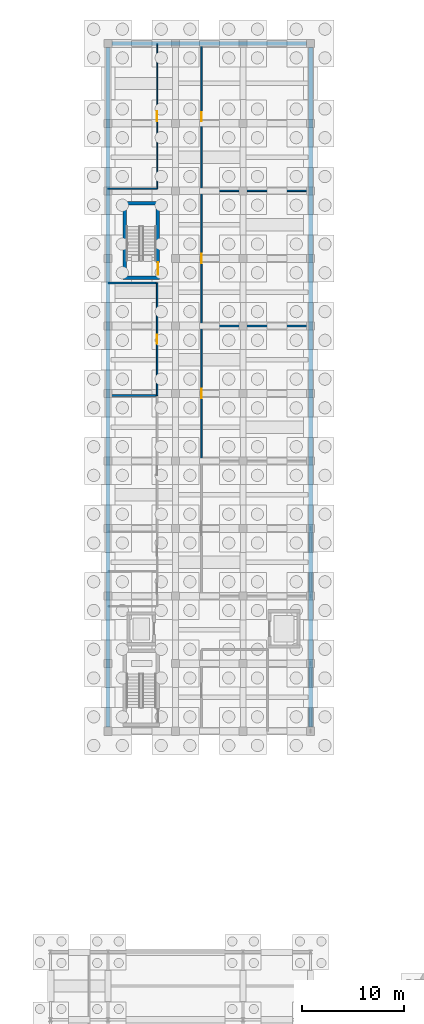
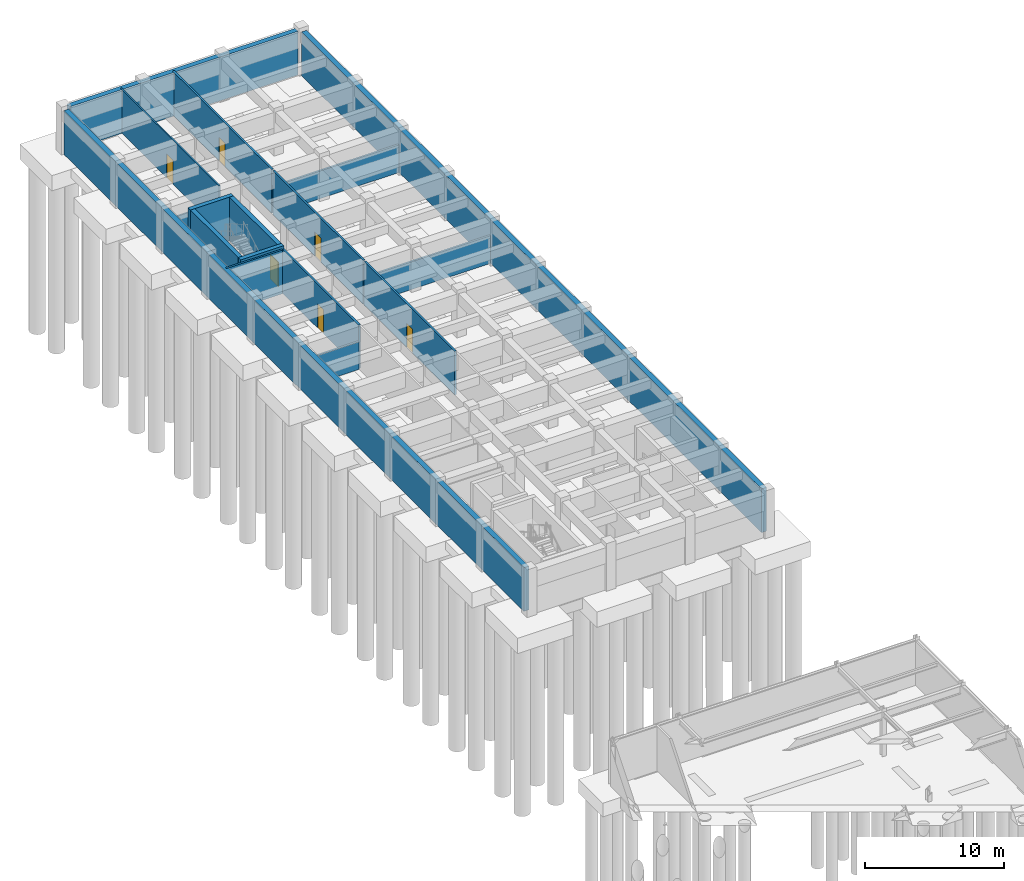
# One storey, part 49 of 58: 17 walls, 6 doors, 6 openings.
"""IFC4 building model written with IfcOpenShell, lengths in metres."""

from ifc_helpers import new_model, si_unit, direction, frame, frame_2d, origin, place, context, subcontext, project, spatial, rectangle, extrude, material, layer, layer_set, type_object, element, fill, save


model = new_model("IFC4")

# Units and contexts
model_context = context("Model", 3, precision=1e-05, world=origin(), true_north=direction((0.0, 1.0)))
body_context = subcontext(model_context, "Body", "Model", "MODEL_VIEW")
ifc_project = project(units=[si_unit("LENGTHUNIT", "METRE"), si_unit("AREAUNIT", "SQUARE_METRE"), si_unit("VOLUMEUNIT", "CUBIC_METRE"), si_unit("PLANEANGLEUNIT", "RADIAN"), si_unit("MASSUNIT", "GRAM", prefix="KILO")], contexts=[model_context])

# Site, building, storey
site_placement = place(None, origin())
site = spatial("IfcSite", under=ifc_project, at=site_placement, CompositionType="ELEMENT")
building_placement = place(site_placement, origin())
building = spatial("IfcBuilding", under=site, at=building_placement, Name="Karori Crest Natural Sciences Institute", CompositionType="ELEMENT")
storey_placement = place(building_placement, frame((0.0, 0.0, -4.199951171875)))
storey = spatial("IfcBuildingStorey", under=building, at=storey_placement, Name="B1", CompositionType="ELEMENT", Elevation=-4.199951171875)

# Walls
ifc_material_1 = material(Name="Concrete 50 MPa", Category="concrete")
ifc_layer_1 = layer(ifc_material_1, 0.35009765625, Name="Concrete 50 MPa")
ifc_layer_set_1 = layer_set([ifc_layer_1], Name="Concrete 50 MPa")
wall_type_1 = type_object("IfcWallType", Name="IWT-02", PredefinedType="SHEAR", material=ifc_layer_set_1)
for number, where, z_axis, x_axis, name in (
    (1, (8.85009765625, 139.324951171875, 0.0), (0.0, 0.0, 1.0), (1.0, 0.0, 0.0), "Shear wall IW-0197"),
    (2, (8.85009765625, 146.574951171875, 0.0), (0.0, 0.0, 1.0), (1.0, 0.0, 0.0), "Shear wall IW-0198"),
):
    element("IfcWall", number, at=place(storey_placement, frame(where, z_axis=z_axis, x_axis=x_axis)), inside=storey, type_object=wall_type_1, Name=name, PredefinedType="SHEAR", context=body_context, shape_type="SweptSolid", body=[
        extrude(rectangle(XDim=3.599853515625, YDim=0.35009765625, at=frame_2d((1.7998046875, 0.0))), origin(), (0.0, 0.0, 1.0), 3.849853515625),
    ])
wall_1_placement = place(storey_placement, frame((9.02490234375, 139.501953125, 0.0), z_axis=(0.0, 0.0, 1.0), x_axis=(0.0, 1.0, 0.0)))
element("IfcWall", 3, at=wall_1_placement, inside=storey, type_object=wall_type_1, Name="Shear wall IW-0199", PredefinedType="SHEAR", context=body_context, shape_type="SweptSolid", body=[
    extrude(rectangle(XDim=6.89599609375, YDim=0.35009765625, at=frame_2d((3.447998046875, 0.0))), origin(), (0.0, 0.0, 1.0), 3.849853515625),
])

# Wall, opening, door
wall_2_placement = place(storey_placement, frame((12.27490234375, 139.501953125, 0.0), z_axis=(0.0, 0.0, 1.0), x_axis=(0.0, 1.0, 0.0)))
wall_2 = element("IfcWall", 4, at=wall_2_placement, inside=storey, type_object=wall_type_1, Name="Shear wall IW-0200", PredefinedType="SHEAR", context=body_context, shape_type="SweptSolid", body=[
    extrude(rectangle(XDim=6.89599609375, YDim=0.35009765625, at=frame_2d((3.447998046875, 0.0))), origin(), (0.0, 0.0, 1.0), 3.849853515625),
])
opening_1_placement = place(wall_2_placement, frame((0.1201171875, 0.0, 0.0)))
opening_1 = element("IfcOpeningElement", 5, at=opening_1_placement, cuts=wall_2, Name="Opening ID-0050", PredefinedType="OPENING", context=body_context, shape_type="SweptSolid", body=[
    extrude(rectangle(XDim=1.199951171875, YDim=2.14990234375, at=frame_2d((0.60009765625, 1.074951171875))), frame((0.0, 0.18505859375, 0.0), z_axis=(0.0, -1.0, 0.0), x_axis=(1.0, 0.0, 0.0)), (0.0, 0.0, 1.0), 0.3701171875),
])
ifc_material_2 = material(Name="Stainless steel 316 and fire-rated timber", Category="steel")
door_type_1 = type_object("IfcDoorType", Name="IDT-01", OperationType="NOTDEFINED", PredefinedType="DOOR", material=ifc_material_2)
door_1_placement = place(opening_1_placement, origin())
door_1 = element("IfcDoor", 6, at=door_1_placement, inside=storey, type_object=door_type_1, Name="Stair ST-06 fire door ID-0050", OperationType="SINGLE_SWING_RIGHT", OverallHeight=2.14990234375, OverallWidth=1.199951171875, PredefinedType="DOOR", context=body_context, shape_type="SweptSolid", body=[
    extrude(rectangle(XDim=1.199951171875, YDim=2.14990234375, at=frame_2d((0.60009765625, 1.074951171875))), frame((0.0, 0.02490234375, 0.0), z_axis=(0.0, -1.0, 0.0), x_axis=(1.0, 0.0, 0.0)), (0.0, 0.0, 1.0), 0.050048828125),
])
fill(opening_1, door_1)

# Walls
ifc_material_3 = material(Name="Acoustic steel-stud fireboard partition", Category="steel")
ifc_layer_2 = layer(ifc_material_3, 0.159912109375, Name="Acoustic steel-stud fireboard partition")
ifc_layer_set_2 = layer_set([ifc_layer_2], Name="Acoustic steel-stud fireboard partition")
wall_type_2 = type_object("IfcWallType", Name="IWT-05", PredefinedType="PARTITIONING", material=ifc_layer_set_2)
wall_3_placement = place(storey_placement, frame((7.39990234375, 127.800048828125, 0.0), z_axis=(0.0, 0.0, 1.0), x_axis=(1.0, 0.0, 0.0)))
element("IfcWall", 7, at=wall_3_placement, inside=storey, type_object=wall_type_2, Name="Partition wall IW-0897", PredefinedType="PARTITIONING", context=body_context, shape_type="SweptSolid", body=[
    extrude(rectangle(XDim=4.697998046875, YDim=0.159912109375, at=frame_2d((2.34912109375, 0.0))), origin(), (0.0, 0.0, 1.0), 2.43505859375),
])
wall_4_placement = place(storey_placement, frame((7.39990234375, 138.800048828125, 0.0), z_axis=(0.0, 0.0, 1.0), x_axis=(1.0, 0.0, 0.0)))
element("IfcWall", 8, at=wall_4_placement, inside=storey, type_object=wall_type_2, Name="Partition wall IW-0899", PredefinedType="PARTITIONING", context=body_context, shape_type="SweptSolid", body=[
    extrude(rectangle(XDim=4.697998046875, YDim=0.159912109375, at=frame_2d((2.34912109375, 0.0))), origin(), (0.0, 0.0, 1.0), 3.849853515625),
])

# Wall, opening, door
wall_5_placement = place(storey_placement, frame((12.199951171875, 127.802001953125, 0.0), z_axis=(0.0, 0.0, 1.0), x_axis=(0.0, 1.0, 0.0)))
wall_5 = element("IfcWall", 9, at=wall_5_placement, inside=storey, type_object=wall_type_2, Name="Partition wall IW-0900", PredefinedType="PARTITIONING", context=body_context, shape_type="SweptSolid", body=[
    extrude(rectangle(XDim=10.998046875, YDim=0.159912109375, at=frame_2d((5.4990234375, 0.0))), origin(), (0.0, 0.0, 1.0), 3.849853515625),
])
opening_2_placement = place(wall_5_placement, frame((5.0390625, 0.0, 0.0)))
opening_2 = element("IfcOpeningElement", 10, at=opening_2_placement, cuts=wall_5, Name="Opening ID-0225", PredefinedType="OPENING", context=body_context, shape_type="SweptSolid", body=[
    extrude(rectangle(XDim=0.919921875, YDim=2.1201171875, at=frame_2d((0.4599609375, 1.06005859375))), frame((0.0, 0.08984375, 0.0), z_axis=(0.0, -1.0, 0.0), x_axis=(1.0, 0.0, 0.0)), (0.0, 0.0, 1.0), 0.179931640625),
])
door_type_2 = type_object("IfcDoorType", Name="IDT-14", OperationType="NOTDEFINED", PredefinedType="DOOR", material=ifc_material_2)
door_2_placement = place(opening_2_placement, origin())
door_2 = element("IfcDoor", 11, at=door_2_placement, inside=storey, type_object=door_type_2, Name="Gas Scrubbing Plant Room door ID-0225", OperationType="SINGLE_SWING_LEFT", OverallHeight=2.1201171875, OverallWidth=0.919921875, PredefinedType="DOOR", context=body_context, shape_type="SweptSolid", body=[
    extrude(rectangle(XDim=0.919921875, YDim=2.1201171875, at=frame_2d((0.4599609375, 1.06005859375))), frame((0.0, 0.02490234375, 0.0), z_axis=(0.0, -1.0, 0.0), x_axis=(1.0, 0.0, 0.0)), (0.0, 0.0, 1.0), 0.050048828125),
])
fill(opening_2, door_2)

# Wall
wall_6_placement = place(storey_placement, frame((16.550048828125, 134.60009765625, 0.0), z_axis=(0.0, 0.0, 1.0), x_axis=(1.0, 0.0, 0.0)))
element("IfcWall", 12, at=wall_6_placement, inside=storey, type_object=wall_type_2, Name="Partition wall IW-0909", PredefinedType="PARTITIONING", context=body_context, shape_type="SweptSolid", body=[
    extrude(rectangle(XDim=10.4580078125, YDim=0.159912109375, at=frame_2d((5.22900390625, 0.0))), origin(), (0.0, 0.0, 1.0), 2.43505859375),
])

# Wall, opening, door
wall_7_placement = place(storey_placement, frame((16.550048828125, 121.47705078125, 0.0), z_axis=(0.0, 0.0, 1.0), x_axis=(0.0, 1.0, 0.0)))
wall_7 = element("IfcWall", 13, at=wall_7_placement, inside=storey, type_object=wall_type_2, Name="Partition wall IW-0910", PredefinedType="PARTITIONING", context=body_context, shape_type="SweptSolid", body=[
    extrude(rectangle(XDim=13.041015625, YDim=0.159912109375, at=frame_2d((6.5205078125, 0.0))), origin(), (0.0, 0.0, 1.0), 3.849853515625),
])
opening_3_placement = place(wall_7_placement, frame((6.070556640625, 0.0, 0.0)))
opening_3 = element("IfcOpeningElement", 14, at=opening_3_placement, cuts=wall_7, Name="Opening ID-0229", PredefinedType="OPENING", context=body_context, shape_type="SweptSolid", body=[
    extrude(rectangle(XDim=0.89990234375, YDim=2.10009765625, at=frame_2d((0.449951171875, 1.050048828125))), frame((0.0, 0.08984375, 0.0), z_axis=(0.0, -1.0, 0.0), x_axis=(1.0, 0.0, 0.0)), (0.0, 0.0, 1.0), 0.179931640625),
])
door_type_3 = type_object("IfcDoorType", Name="IDT-07", OperationType="NOTDEFINED", PredefinedType="DOOR", material=ifc_material_2)
door_3_placement = place(opening_3_placement, origin())
door_3 = element("IfcDoor", 15, at=door_3_placement, inside=storey, type_object=door_type_3, Name="Ultra-Pure Acid Neutralisation Plant Room door ID-0229", OperationType="SINGLE_SWING_LEFT", OverallHeight=2.10009765625, OverallWidth=0.89990234375, PredefinedType="DOOR", context=body_context, shape_type="SweptSolid", body=[
    extrude(rectangle(XDim=0.89990234375, YDim=2.10009765625, at=frame_2d((0.449951171875, 1.050048828125))), frame((0.0, 0.02490234375, 0.0), z_axis=(0.0, -1.0, 0.0), x_axis=(1.0, 0.0, 0.0)), (0.0, 0.0, 1.0), 0.050048828125),
])
fill(opening_3, door_3)

# Wall
wall_8_placement = place(storey_placement, frame((16.550048828125, 147.800048828125, 0.0), z_axis=(0.0, 0.0, 1.0), x_axis=(1.0, 0.0, 0.0)))
element("IfcWall", 16, at=wall_8_placement, inside=storey, type_object=wall_type_2, Name="Partition wall IW-0911", PredefinedType="PARTITIONING", context=body_context, shape_type="SweptSolid", body=[
    extrude(rectangle(XDim=10.4580078125, YDim=0.159912109375, at=frame_2d((5.22900390625, 0.0))), origin(), (0.0, 0.0, 1.0), 2.43505859375),
])

# Wall, opening, door
wall_9_placement = place(storey_placement, frame((16.550048828125, 134.681884765625, 0.0), z_axis=(0.0, 0.0, 1.0), x_axis=(0.0, 1.0, 0.0)))
wall_9 = element("IfcWall", 17, at=wall_9_placement, inside=storey, type_object=wall_type_2, Name="Partition wall IW-0912", PredefinedType="PARTITIONING", context=body_context, shape_type="SweptSolid", body=[
    extrude(rectangle(XDim=13.0361328125, YDim=0.159912109375, at=frame_2d((6.51806640625, 0.0))), origin(), (0.0, 0.0, 1.0), 3.849853515625),
])
opening_4_placement = place(wall_9_placement, frame((6.05810546875, 0.0, 0.0)))
opening_4 = element("IfcOpeningElement", 18, at=opening_4_placement, cuts=wall_9, Name="Opening ID-0230", PredefinedType="OPENING", context=body_context, shape_type="SweptSolid", body=[
    extrude(rectangle(XDim=0.919921875, YDim=2.1201171875, at=frame_2d((0.4599609375, 1.06005859375))), frame((0.0, 0.08984375, 0.0), z_axis=(0.0, -1.0, 0.0), x_axis=(1.0, 0.0, 0.0)), (0.0, 0.0, 1.0), 0.179931640625),
])
door_4_placement = place(opening_4_placement, origin())
door_4 = element("IfcDoor", 19, at=door_4_placement, inside=storey, type_object=door_type_2, Name="Vacuum Pump Sub-Fab Room door ID-0230", OperationType="SINGLE_SWING_RIGHT", OverallHeight=2.1201171875, OverallWidth=0.919921875, PredefinedType="DOOR", context=body_context, shape_type="SweptSolid", body=[
    extrude(rectangle(XDim=0.919921875, YDim=2.1201171875, at=frame_2d((0.4599609375, 1.06005859375))), frame((0.0, 0.02490234375, 0.0), z_axis=(0.0, -1.0, 0.0), x_axis=(1.0, 0.0, 0.0)), (0.0, 0.0, 1.0), 0.050048828125),
])
fill(opening_4, door_4)

wall_10_placement = place(storey_placement, frame((16.550048828125, 147.882080078125, 0.0), z_axis=(0.0, 0.0, 1.0), x_axis=(0.0, 1.0, 0.0)))
wall_10 = element("IfcWall", 20, at=wall_10_placement, inside=storey, type_object=wall_type_2, Name="Partition wall IW-0913", PredefinedType="PARTITIONING", context=body_context, shape_type="SweptSolid", body=[
    extrude(rectangle(XDim=14.31787109375, YDim=0.159912109375, at=frame_2d((7.158935546875, 0.0))), origin(), (0.0, 0.0, 1.0), 3.849853515625),
])
opening_5_placement = place(wall_10_placement, frame((6.708984375, 0.0, 0.0)))
opening_5 = element("IfcOpeningElement", 21, at=opening_5_placement, cuts=wall_10, Name="Opening ID-0231", PredefinedType="OPENING", context=body_context, shape_type="SweptSolid", body=[
    extrude(rectangle(XDim=0.89990234375, YDim=2.10009765625, at=frame_2d((0.449951171875, 1.050048828125))), frame((0.0, 0.08984375, 0.0), z_axis=(0.0, -1.0, 0.0), x_axis=(1.0, 0.0, 0.0)), (0.0, 0.0, 1.0), 0.179931640625),
])
door_5_placement = place(opening_5_placement, origin())
door_5 = element("IfcDoor", 22, at=door_5_placement, inside=storey, type_object=door_type_3, Name="Specialty Gas Manifold Store door ID-0231", OperationType="SINGLE_SWING_LEFT", OverallHeight=2.10009765625, OverallWidth=0.89990234375, PredefinedType="DOOR", context=body_context, shape_type="SweptSolid", body=[
    extrude(rectangle(XDim=0.89990234375, YDim=2.10009765625, at=frame_2d((0.449951171875, 1.050048828125))), frame((0.0, 0.02490234375, 0.0), z_axis=(0.0, -1.0, 0.0), x_axis=(1.0, 0.0, 0.0)), (0.0, 0.0, 1.0), 0.050048828125),
])
fill(opening_5, door_5)

# Wall
ifc_material_4 = material(Name="Write-up office acoustic partition")
ifc_layer_3 = layer(ifc_material_4, 0.1201171875, Name="Write-up office acoustic partition")
ifc_layer_set_3 = layer_set([ifc_layer_3], Name="Write-up office acoustic partition")
wall_type_3 = type_object("IfcWallType", Name="IWT-08", PredefinedType="PARTITIONING", material=ifc_layer_set_3)
wall_11_placement = place(storey_placement, frame((7.39990234375, 148.0, 0.0), z_axis=(0.0, 0.0, 1.0), x_axis=(1.0, 0.0, 0.0)))
element("IfcWall", 23, at=wall_11_placement, inside=storey, type_object=wall_type_3, Name="Partition wall IW-0901", PredefinedType="PARTITIONING", context=body_context, shape_type="SweptSolid", body=[
    extrude(rectangle(XDim=4.800048828125, YDim=0.1201171875, at=frame_2d((2.39990234375, 0.0))), origin(), (0.0, 0.0, 1.0), 2.43505859375),
])

# Wall, opening, door
wall_12_placement = place(storey_placement, frame((12.199951171875, 148.0, 0.0), z_axis=(0.0, 0.0, 1.0), x_axis=(0.0, 1.0, 0.0)))
wall_12 = element("IfcWall", 24, at=wall_12_placement, inside=storey, type_object=wall_type_3, Name="Partition wall IW-0902", PredefinedType="PARTITIONING", context=body_context, shape_type="SweptSolid", body=[
    extrude(rectangle(XDim=14.199951171875, YDim=0.1201171875, at=frame_2d((7.10009765625, 0.0))), origin(), (0.0, 0.0, 1.0), 3.849853515625),
])
opening_6_placement = place(wall_12_placement, frame((6.625, 0.0, 0.0)))
opening_6 = element("IfcOpeningElement", 25, at=opening_6_placement, cuts=wall_12, Name="Opening ID-0226", PredefinedType="OPENING", context=body_context, shape_type="SweptSolid", body=[
    extrude(rectangle(XDim=0.949951171875, YDim=2.10009765625, at=frame_2d((0.47509765625, 1.050048828125))), frame((0.0, 0.070068359375, 0.0), z_axis=(0.0, -1.0, 0.0), x_axis=(1.0, 0.0, 0.0)), (0.0, 0.0, 1.0), 0.14013671875),
])
ifc_material_5 = material(Name="Anodised aluminium and acoustic timber", Category="wood")
door_type_4 = type_object("IfcDoorType", Name="IDT-08", OperationType="NOTDEFINED", PredefinedType="DOOR", material=ifc_material_5)
door_6_placement = place(opening_6_placement, origin())
door_6 = element("IfcDoor", 26, at=door_6_placement, inside=storey, type_object=door_type_4, Name="Specimen Assay Room door ID-0226", OperationType="SINGLE_SWING_RIGHT", OverallHeight=2.10009765625, OverallWidth=0.949951171875, PredefinedType="DOOR", context=body_context, shape_type="SweptSolid", body=[
    extrude(rectangle(XDim=0.949951171875, YDim=2.10009765625, at=frame_2d((0.47509765625, 1.050048828125))), frame((0.0, 0.02490234375, 0.0), z_axis=(0.0, -1.0, 0.0), x_axis=(1.0, 0.0, 0.0)), (0.0, 0.0, 1.0), 0.050048828125),
])
fill(opening_6, door_6)

# Walls
ifc_material_6 = material(Name="Concrete 40 MPa", Category="concrete")
ifc_layer_4 = layer(ifc_material_6, 0.419921875, Name="Concrete 40 MPa")
ifc_layer_set_4 = layer_set([ifc_layer_4], Name="Concrete 40 MPa")
wall_type_4 = type_object("IfcWallType", Name="WT-09", PredefinedType="USERDEFINED", material=ifc_layer_set_4)
wall_13_placement = place(storey_placement, frame((7.39990234375, 95.39794921875, 0.0), z_axis=(0.0, 0.0, 1.0), x_axis=(0.0, 1.0, 0.0)))
element("IfcWall", 27, at=wall_13_placement, inside=storey, type_object=wall_type_4, Name="Exterior wall EW-0153", ObjectType="RETAININGWALL", PredefinedType="USERDEFINED", context=body_context, shape_type="SweptSolid", body=[
    extrude(rectangle(XDim=66.404052734375, YDim=0.419921875, at=frame_2d((33.2021484375, 0.0))), origin(), (0.0, 0.0, 1.0), 3.849853515625),
])
wall_14_placement = place(storey_placement, frame((7.798095703125, 162.199951171875, 0.0), z_axis=(0.0, 0.0, 1.0), x_axis=(1.0, 0.0, 0.0)))
element("IfcWall", 28, at=wall_14_placement, inside=storey, type_object=wall_type_4, Name="Exterior wall EW-0154", ObjectType="RETAININGWALL", PredefinedType="USERDEFINED", context=body_context, shape_type="SweptSolid", body=[
    extrude(rectangle(XDim=19.00390625, YDim=0.419921875, at=frame_2d((9.501953125, 0.0))), origin(), (0.0, 0.0, 1.0), 3.849853515625),
])
wall_15_placement = place(storey_placement, frame((27.199951171875, 161.802001953125, 0.0), z_axis=(0.0, 0.0, 1.0), x_axis=(0.0, -1.0, 0.0)))
element("IfcWall", 29, at=wall_15_placement, inside=storey, type_object=wall_type_4, Name="Exterior wall EW-0155", ObjectType="RETAININGWALL", PredefinedType="USERDEFINED", context=body_context, shape_type="SweptSolid", body=[
    extrude(rectangle(XDim=66.404052734375, YDim=0.419921875, at=frame_2d((33.2021484375, 0.0))), origin(), (0.0, 0.0, 1.0), 3.849853515625),
])

save(model, "model.ifc")
